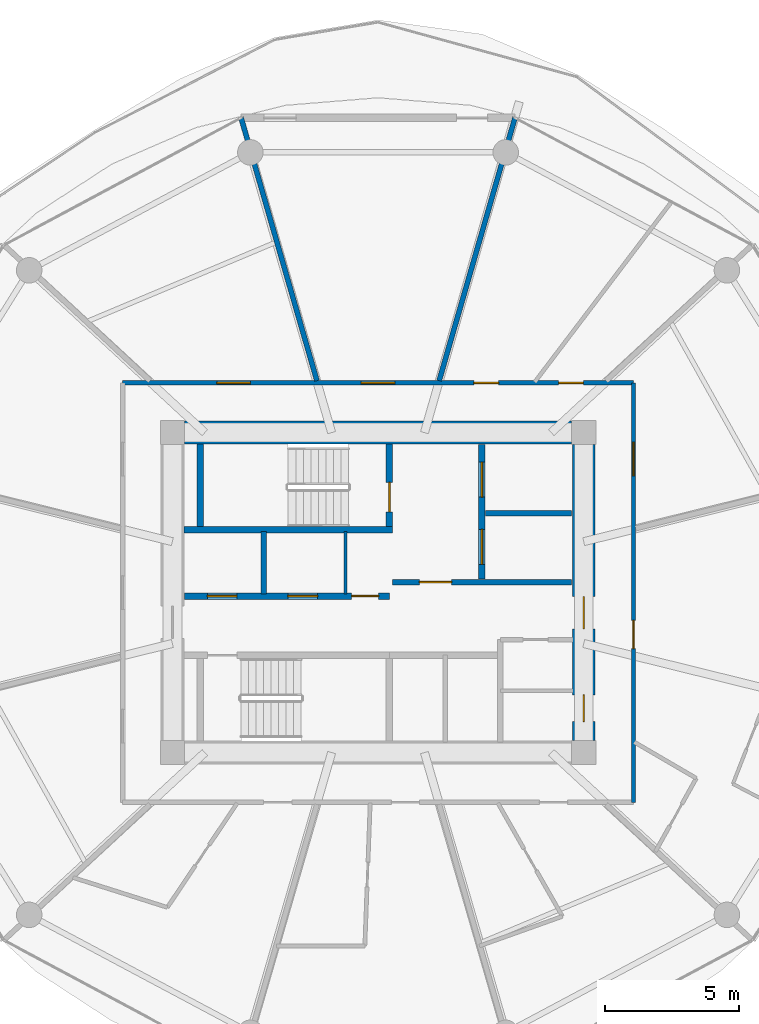
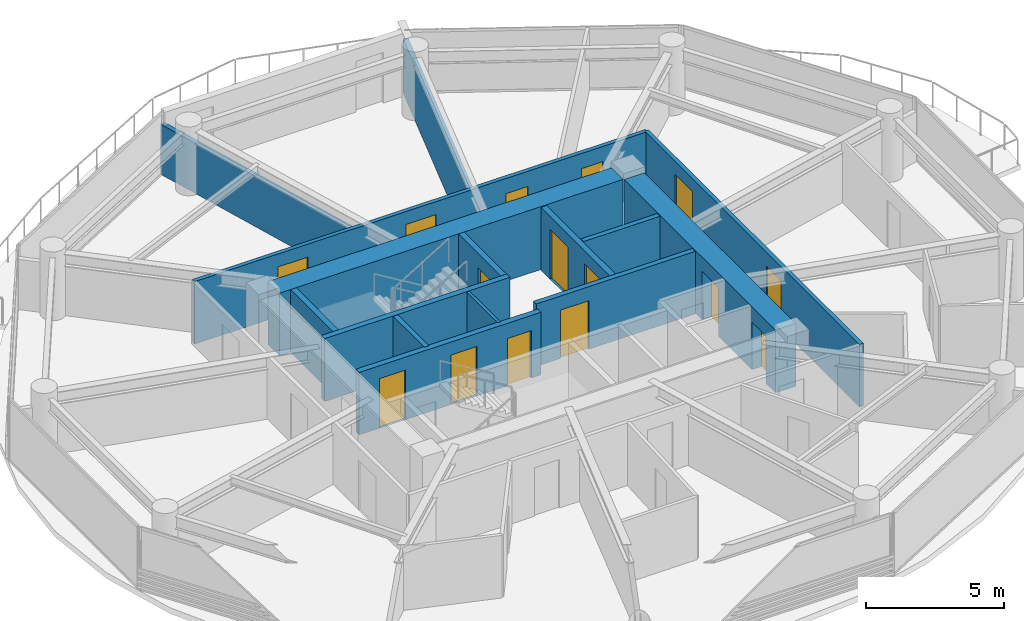
# One storey, part 19 of 26: 15 doors, 15 walls, 15 openings.
"""IFC4 building model written with IfcOpenShell, lengths in metres."""

from ifc_helpers import new_model, si_unit, direction, frame, frame_2d, origin, place, context, subcontext, project, spatial, rectangle, extrude, source, transform, mapped, material, layer, layer_set, type_object, type_shapes, element, fill, save


model = new_model("IFC4")

# Units and contexts
model_context = context("Model", 3, precision=1e-05, world=origin(), true_north=direction((0.0, 1.0)))
body_context = subcontext(model_context, "Body", "Model", "MODEL_VIEW")
ifc_project = project(units=[si_unit("LENGTHUNIT", "METRE"), si_unit("AREAUNIT", "SQUARE_METRE"), si_unit("VOLUMEUNIT", "CUBIC_METRE"), si_unit("PLANEANGLEUNIT", "RADIAN"), si_unit("MASSUNIT", "GRAM", prefix="KILO")], contexts=[model_context])

# Site, building, storey
site_placement = place(None, origin())
site = spatial("IfcSite", under=ifc_project, at=site_placement, CompositionType="ELEMENT")
building_placement = place(site_placement, origin())
building = spatial("IfcBuilding", under=site, at=building_placement, Name="Norrkilde Senior Care Towers", CompositionType="ELEMENT")
storey_placement = place(building_placement, frame((0.0, 0.0, 55.14990234375)))
storey = spatial("IfcBuildingStorey", under=building, at=storey_placement, Name="L16", CompositionType="ELEMENT", Elevation=55.14990234375)

# Wall
ifc_material_1 = material(Name="Concrete C60/75", Category="concrete")
ifc_layer_1 = layer(ifc_material_1, 0.85009765625)
ifc_layer_set_1 = layer_set([ifc_layer_1], Name="Concrete C60/75")
wall_type_1 = type_object("IfcWallType", Name="Core Shear Wall Z1 850", PredefinedType="SHEAR", material=ifc_layer_set_1)
shared_shape_1 = source(origin(), body_context, "Body", "SweptSolid", [
    extrude(rectangle(XDim=14.39990234375, YDim=0.85009765625, at=frame_2d((7.199951171875, 0.0))), origin(), (0.0, 0.0, 1.0), 2.7900390625),
])
wall_1_placement = place(storey_placement, frame((20.800048828125, 5.949951171875, 0.0), z_axis=(0.0, 0.0, 1.0), x_axis=(1.0, 0.0, 0.0)))
element("IfcWall", 1, at=wall_1_placement, inside=storey, type_object=wall_type_1, Name="L16 Core E North Shear Wall", PredefinedType="SHEAR", context=body_context, shape_type="MappedRepresentation", body=[
    mapped(shared_shape_1, transform((0.0, 0.0, 0.0), x_axis=(1.0, 0.0, 0.0), y_axis=(0.0, 1.0, 0.0), z_axis=(0.0, 0.0, 1.0), scale=1.0)),
])

# Wall, openings, doors
shared_shape_2 = source(origin(), body_context, "Body", "SweptSolid", [
    extrude(rectangle(XDim=11.0, YDim=0.85009765625, at=frame_2d((5.5, 0.0))), origin(), (0.0, 0.0, 1.0), 2.7900390625),
])
type_shapes(wall_type_1, [shared_shape_1, shared_shape_2])
wall_2_placement = place(storey_placement, frame((35.64990234375, 5.5, 0.0), z_axis=(0.0, 0.0, 1.0), x_axis=(0.0, -1.0, 0.0)))
wall_2 = element("IfcWall", 2, at=wall_2_placement, inside=storey, type_object=wall_type_1, Name="L16 Core E East Shear Wall", PredefinedType="SHEAR", context=body_context, shape_type="MappedRepresentation", body=[
    mapped(shared_shape_2, transform((0.0, 0.0, 0.0), x_axis=(1.0, 0.0, 0.0), y_axis=(0.0, 1.0, 0.0), z_axis=(0.0, 0.0, 1.0), scale=1.0)),
])
opening_1_placement = place(wall_2_placement, frame((5.64990234375, 0.0, 0.0)))
opening_1 = element("IfcOpeningElement", 3, at=opening_1_placement, cuts=wall_2, Name="Opening D-04", PredefinedType="OPENING", context=body_context, shape_type="SweptSolid", body=[
    extrude(rectangle(XDim=1.199951171875, YDim=2.14990234375, at=frame_2d((0.60009765625, 1.074951171875))), frame((0.0, 0.43505859375, 0.0), z_axis=(0.0, -1.0, 0.0), x_axis=(1.0, 0.0, 0.0)), (0.0, 0.0, 1.0), 0.8701171875),
])
opening_2_placement = place(wall_2_placement, frame((9.300048828125, 0.0, 0.0)))
opening_2 = element("IfcOpeningElement", 4, at=opening_2_placement, cuts=wall_2, Name="Opening D-10", PredefinedType="OPENING", context=body_context, shape_type="SweptSolid", body=[
    extrude(rectangle(XDim=1.0, YDim=2.10009765625, at=frame_2d((0.5, 1.050048828125))), frame((0.0, 0.43505859375, 0.0), z_axis=(0.0, -1.0, 0.0), x_axis=(1.0, 0.0, 0.0)), (0.0, 0.0, 1.0), 0.8701171875),
])
ifc_material_2 = material(Name="Galvanised Painted Steel", Category="steel")
door_type_1 = type_object("IfcDoorType", Name="Firefighting Lobby Fire Door 1200x2150", OperationType="NOTDEFINED", PredefinedType="DOOR", material=ifc_material_2)
shared_shape_3 = source(origin(), body_context, "Body", "SweptSolid", [
    extrude(rectangle(XDim=1.199951171875, YDim=2.14990234375, at=frame_2d((0.60009765625, 1.074951171875))), frame((0.0, 0.02490234375, 0.0), z_axis=(0.0, -1.0, 0.0), x_axis=(1.0, 0.0, 0.0)), (0.0, 0.0, 1.0), 0.050048828125),
])
type_shapes(door_type_1, [shared_shape_3])
door_1_placement = place(opening_1_placement, frame((1.199951171875, 0.0, 0.0), z_axis=(0.0, 0.0, 1.0), x_axis=(-1.0, 0.0, 0.0)))
door_1 = element("IfcDoor", 5, at=door_1_placement, inside=storey, type_object=door_type_1, Name="L16 Core E East Portal Door", OperationType="SINGLE_SWING_RIGHT", OverallHeight=2.14990234375, OverallWidth=1.199951171875, PredefinedType="DOOR", context=body_context, shape_type="MappedRepresentation", body=[
    mapped(shared_shape_3, transform((0.0, 0.0, 0.0), x_axis=(1.0, 0.0, 0.0), y_axis=(0.0, 1.0, 0.0), z_axis=(0.0, 0.0, 1.0), scale=1.0)),
])
fill(opening_1, door_1)
door_type_2 = type_object("IfcDoorType", Name="Plant and Riser Rated Door 1000x2100", OperationType="NOTDEFINED", PredefinedType="DOOR", material=ifc_material_2)
shared_shape_4 = source(origin(), body_context, "Body", "SweptSolid", [
    extrude(rectangle(XDim=1.0, YDim=2.10009765625, at=frame_2d((0.5, 1.050048828125))), frame((0.0, 0.02490234375, 0.0), z_axis=(0.0, -1.0, 0.0), x_axis=(1.0, 0.0, 0.0)), (0.0, 0.0, 1.0), 0.050048828125),
])
type_shapes(door_type_2, [shared_shape_4])
door_2_placement = place(opening_2_placement, frame((1.0, 0.0, 0.0), z_axis=(0.0, 0.0, 1.0), x_axis=(-1.0, 0.0, 0.0)))
door_2 = element("IfcDoor", 6, at=door_2_placement, inside=storey, type_object=door_type_2, Name="L16 Ventilation Riser E Door", OperationType="SINGLE_SWING_RIGHT", OverallHeight=2.10009765625, OverallWidth=1.0, PredefinedType="DOOR", context=body_context, shape_type="MappedRepresentation", body=[
    mapped(shared_shape_4, transform((0.0, 0.0, 0.0), x_axis=(1.0, 0.0, 0.0), y_axis=(0.0, 1.0, 0.0), z_axis=(0.0, 0.0, 1.0), scale=1.0)),
])
fill(opening_2, door_2)

# Walls
ifc_material_3 = material(Name="Concrete C45/55", Category="concrete")
ifc_layer_2 = layer(ifc_material_3, 0.239990234375)
ifc_layer_set_2 = layer_set([ifc_layer_2], Name="Concrete C45/55")
wall_type_2 = type_object("IfcWallType", Name="Shaft and Stair Enclosure Wall 240", PredefinedType="PARTITIONING", material=ifc_layer_set_2)
shared_shape_5 = source(origin(), body_context, "Body", "SweptSolid", [
    extrude(rectangle(XDim=7.76513671875, YDim=0.239990234375, at=frame_2d((3.882568359375, 0.0))), origin(), (0.0, 0.0, 1.0), 2.7900390625),
])
wall_3_placement = place(storey_placement, frame((20.77490234375, 2.330078125, 0.0), z_axis=(0.0, 0.0, 1.0), x_axis=(1.0, 0.0, 0.0)))
element("IfcWall", 7, at=wall_3_placement, inside=storey, type_object=wall_type_2, Name="WL-INT-L16-E-ST1S", PredefinedType="PARTITIONING", context=body_context, shape_type="MappedRepresentation", body=[
    mapped(shared_shape_5, transform((0.0, 0.0, 0.0), x_axis=(1.0, 0.0, 0.0), y_axis=(0.0, 1.0, 0.0), z_axis=(0.0, 0.0, 1.0), scale=1.0)),
])
shared_shape_6 = source(origin(), body_context, "Body", "SweptSolid", [
    extrude(rectangle(XDim=3.074951171875, YDim=0.239990234375, at=frame_2d((1.53759765625, 0.0))), origin(), (0.0, 0.0, 1.0), 2.7900390625),
])
type_shapes(wall_type_2, [shared_shape_5, shared_shape_6])
wall_4_placement = place(storey_placement, frame((21.3798828125, 2.449951171875, 0.0), z_axis=(0.0, 0.0, 1.0), x_axis=(0.0, 1.0, 0.0)))
element("IfcWall", 8, at=wall_4_placement, inside=storey, type_object=wall_type_2, Name="WL-INT-L16-E-ST1W", PredefinedType="PARTITIONING", context=body_context, shape_type="MappedRepresentation", body=[
    mapped(shared_shape_6, transform((0.0, 0.0, 0.0), x_axis=(1.0, 0.0, 0.0), y_axis=(0.0, 1.0, 0.0), z_axis=(0.0, 0.0, 1.0), scale=1.0)),
])

# Wall, opening, door
wall_5_placement = place(storey_placement, frame((28.419921875, 2.449951171875, 0.0), z_axis=(0.0, 0.0, 1.0), x_axis=(0.0, 1.0, 0.0)))
wall_5 = element("IfcWall", 9, at=wall_5_placement, inside=storey, type_object=wall_type_2, Name="WL-INT-L16-E-ST1E", PredefinedType="PARTITIONING", context=body_context, shape_type="MappedRepresentation", body=[
    mapped(shared_shape_6, transform((0.0, 0.0, 0.0), x_axis=(1.0, 0.0, 0.0), y_axis=(0.0, 1.0, 0.0), z_axis=(0.0, 0.0, 1.0), scale=1.0)),
])
opening_3_placement = place(wall_5_placement, frame((0.550048828125, 0.0, 0.0)))
opening_3 = element("IfcOpeningElement", 10, at=opening_3_placement, cuts=wall_5, Name="Opening D-03", PredefinedType="OPENING", context=body_context, shape_type="SweptSolid", body=[
    extrude(rectangle(XDim=1.10009765625, YDim=2.14990234375, at=frame_2d((0.550048828125, 1.074951171875))), frame((0.0, 0.1298828125, 0.0), z_axis=(0.0, -1.0, 0.0), x_axis=(1.0, 0.0, 0.0)), (0.0, 0.0, 1.0), 0.260009765625),
])
door_type_3 = type_object("IfcDoorType", Name="Stairwell Protected Fire Door 1100x2150", OperationType="NOTDEFINED", PredefinedType="DOOR", material=ifc_material_2)
shared_shape_7 = source(origin(), body_context, "Body", "SweptSolid", [
    extrude(rectangle(XDim=1.10009765625, YDim=2.14990234375, at=frame_2d((0.550048828125, 1.074951171875))), frame((0.0, 0.02490234375, 0.0), z_axis=(0.0, -1.0, 0.0), x_axis=(1.0, 0.0, 0.0)), (0.0, 0.0, 1.0), 0.050048828125),
])
type_shapes(door_type_3, [shared_shape_7])
door_3_placement = place(opening_3_placement, origin())
door_3 = element("IfcDoor", 11, at=door_3_placement, inside=storey, type_object=door_type_3, Name="L16 Stair E1 Fire Door", OperationType="SINGLE_SWING_LEFT", OverallHeight=2.14990234375, OverallWidth=1.10009765625, PredefinedType="DOOR", context=body_context, shape_type="MappedRepresentation", body=[
    mapped(shared_shape_7, transform((0.0, 0.0, 0.0), x_axis=(1.0, 0.0, 0.0), y_axis=(0.0, 1.0, 0.0), z_axis=(0.0, 0.0, 1.0), scale=1.0)),
])
fill(opening_3, door_3)

# Wall, openings, doors
ifc_layer_3 = layer(ifc_material_3, 0.239990234375)
ifc_layer_set_3 = layer_set([ifc_layer_3], Name="Concrete C45/55")
wall_type_3 = type_object("IfcWallType", Name="Lift and Plant Rated Enclosure Partition 240", PredefinedType="PARTITIONING", material=ifc_layer_set_3)
shared_shape_8 = source(origin(), body_context, "Body", "SweptSolid", [
    extrude(rectangle(XDim=5.0, YDim=0.239990234375, at=frame_2d((2.5, 0.0))), origin(), (0.0, 0.0, 1.0), 2.775146484375),
])
wall_6_placement = place(storey_placement, frame((31.860107421875, 0.5, 0.0), z_axis=(0.0, 0.0, 1.0), x_axis=(0.0, 1.0, 0.0)))
wall_6 = element("IfcWall", 12, at=wall_6_placement, inside=storey, type_object=wall_type_3, Name="WL-INT-L16-E-FFLE", PredefinedType="PARTITIONING", context=body_context, shape_type="MappedRepresentation", body=[
    mapped(shared_shape_8, transform((0.0, 0.0, 0.0), x_axis=(1.0, 0.0, 0.0), y_axis=(0.0, 1.0, 0.0), z_axis=(0.0, 0.0, 1.0), scale=1.0)),
])
opening_4_placement = place(wall_6_placement, frame((3.050048828125, 0.0, 0.0)))
opening_4 = element("IfcOpeningElement", 13, at=opening_4_placement, cuts=wall_6, Name="Opening LD-02", PredefinedType="OPENING", context=body_context, shape_type="SweptSolid", body=[
    extrude(rectangle(XDim=1.300048828125, YDim=2.199951171875, at=frame_2d((0.64990234375, 1.10009765625))), frame((0.0, 0.1298828125, 0.0), z_axis=(0.0, -1.0, 0.0), x_axis=(1.0, 0.0, 0.0)), (0.0, 0.0, 1.0), 0.260009765625),
])
opening_5_placement = place(wall_6_placement, frame((0.550048828125, 0.0, 0.0)))
opening_5 = element("IfcOpeningElement", 14, at=opening_5_placement, cuts=wall_6, Name="Opening LD-02", PredefinedType="OPENING", context=body_context, shape_type="SweptSolid", body=[
    extrude(rectangle(XDim=1.300048828125, YDim=2.199951171875, at=frame_2d((0.64990234375, 1.10009765625))), frame((0.0, 0.1298828125, 0.0), z_axis=(0.0, -1.0, 0.0), x_axis=(1.0, 0.0, 0.0)), (0.0, 0.0, 1.0), 0.260009765625),
])
ifc_material_4 = material(Name="Stainless Steel", Category="steel")
door_type_4 = type_object("IfcDoorType", Name="Stretcher and FFL Landing Sliding Door 1300x2200", OperationType="NOTDEFINED", PredefinedType="DOOR", material=ifc_material_4)
shared_shape_9 = source(origin(), body_context, "Body", "SweptSolid", [
    extrude(rectangle(XDim=1.300048828125, YDim=2.199951171875, at=frame_2d((0.64990234375, 1.10009765625))), frame((0.0, 0.02490234375, 0.0), z_axis=(0.0, -1.0, 0.0), x_axis=(1.0, 0.0, 0.0)), (0.0, 0.0, 1.0), 0.050048828125),
])
type_shapes(door_type_4, [shared_shape_9])
door_4_placement = place(opening_4_placement, origin())
door_4 = element("IfcDoor", 15, at=door_4_placement, inside=storey, type_object=door_type_4, Name="L16 Firefighting Lift E1 Landing Door", OperationType="SLIDING_TO_LEFT", OverallHeight=2.199951171875, OverallWidth=1.300048828125, PredefinedType="DOOR", context=body_context, shape_type="MappedRepresentation", body=[
    mapped(shared_shape_9, transform((0.0, 0.0, 0.0), x_axis=(1.0, 0.0, 0.0), y_axis=(0.0, 1.0, 0.0), z_axis=(0.0, 0.0, 1.0), scale=1.0)),
])
fill(opening_4, door_4)
door_5_placement = place(opening_5_placement, origin())
door_5 = element("IfcDoor", 16, at=door_5_placement, inside=storey, type_object=door_type_4, Name="L16 Stretcher Lift E1 Landing Door", OperationType="SLIDING_TO_RIGHT", OverallHeight=2.199951171875, OverallWidth=1.300048828125, PredefinedType="DOOR", context=body_context, shape_type="MappedRepresentation", body=[
    mapped(shared_shape_9, transform((0.0, 0.0, 0.0), x_axis=(1.0, 0.0, 0.0), y_axis=(0.0, 1.0, 0.0), z_axis=(0.0, 0.0, 1.0), scale=1.0)),
])
fill(opening_5, door_5)

# Wall
ifc_layer_4 = layer(ifc_material_3, 0.199951171875)
ifc_layer_set_4 = layer_set([ifc_layer_4], Name="Concrete C45/55")
wall_type_4 = type_object("IfcWallType", Name="Shaft Division and Plant Partition 200", PredefinedType="PARTITIONING", material=ifc_layer_set_4)
shared_shape_10 = source(origin(), body_context, "Body", "SweptSolid", [
    extrude(rectangle(XDim=3.199951171875, YDim=0.199951171875, at=frame_2d((1.60009765625, 0.0))), origin(), (0.0, 0.0, 1.0), 2.775146484375),
])
wall_7_placement = place(storey_placement, frame((32.0, 2.949951171875, 0.0), z_axis=(0.0, 0.0, 1.0), x_axis=(1.0, 0.0, 0.0)))
element("IfcWall", 17, at=wall_7_placement, inside=storey, type_object=wall_type_4, Name="WL-INT-L16-E-FFLDIV", PredefinedType="PARTITIONING", context=body_context, shape_type="MappedRepresentation", body=[
    mapped(shared_shape_10, transform((0.0, 0.0, 0.0), x_axis=(1.0, 0.0, 0.0), y_axis=(0.0, 1.0, 0.0), z_axis=(0.0, 0.0, 1.0), scale=1.0)),
])

# Wall, opening, door
ifc_layer_5 = layer(ifc_material_3, 0.2099609375)
ifc_layer_set_5 = layer_set([ifc_layer_5], Name="Concrete C45/55")
wall_type_5 = type_object("IfcWallType", Name="Firefighting Lobby Wall 210", PredefinedType="PARTITIONING", material=ifc_layer_set_5)
shared_shape_11 = source(origin(), body_context, "Body", "SweptSolid", [
    extrude(rectangle(XDim=6.659912109375, YDim=0.2099609375, at=frame_2d((3.330078125, 0.0))), origin(), (0.0, 0.0, 1.0), 2.775146484375),
])
type_shapes(wall_type_5, [shared_shape_11])
wall_8_placement = place(storey_placement, frame((28.5400390625, 0.389892578125, 0.0), z_axis=(0.0, 0.0, 1.0), x_axis=(1.0, 0.0, 0.0)))
wall_8 = element("IfcWall", 18, at=wall_8_placement, inside=storey, type_object=wall_type_5, Name="WL-INT-L16-E-FFLS", PredefinedType="PARTITIONING", context=body_context, shape_type="MappedRepresentation", body=[
    mapped(shared_shape_11, transform((0.0, 0.0, 0.0), x_axis=(1.0, 0.0, 0.0), y_axis=(0.0, 1.0, 0.0), z_axis=(0.0, 0.0, 1.0), scale=1.0)),
])
opening_6_placement = place(wall_8_placement, frame((1.0, 0.0, 0.0)))
opening_6 = element("IfcOpeningElement", 19, at=opening_6_placement, cuts=wall_8, Name="Opening D-04", PredefinedType="OPENING", context=body_context, shape_type="SweptSolid", body=[
    extrude(rectangle(XDim=1.199951171875, YDim=2.14990234375, at=frame_2d((0.60009765625, 1.074951171875))), frame((0.0, 0.114990234375, 0.0), z_axis=(0.0, -1.0, 0.0), x_axis=(1.0, 0.0, 0.0)), (0.0, 0.0, 1.0), 0.22998046875),
])
door_6_placement = place(opening_6_placement, frame((1.199951171875, 0.0, 0.0), z_axis=(0.0, 0.0, 1.0), x_axis=(-1.0, 0.0, 0.0)))
door_6 = element("IfcDoor", 20, at=door_6_placement, inside=storey, type_object=door_type_1, Name="L16 Firefighting Lobby E Door", OperationType="SINGLE_SWING_LEFT", OverallHeight=2.14990234375, OverallWidth=1.199951171875, PredefinedType="DOOR", context=body_context, shape_type="MappedRepresentation", body=[
    mapped(shared_shape_3, transform((0.0, 0.0, 0.0), x_axis=(1.0, 0.0, 0.0), y_axis=(0.0, 1.0, 0.0), z_axis=(0.0, 0.0, 1.0), scale=1.0)),
])
fill(opening_6, door_6)

# Wall, openings, doors
shared_shape_12 = source(origin(), body_context, "Body", "SweptSolid", [
    extrude(rectangle(XDim=7.619873046875, YDim=0.239990234375, at=frame_2d((3.81005859375, 0.0))), origin(), (0.0, 0.0, 1.0), 2.775146484375),
])
type_shapes(wall_type_3, [shared_shape_8, shared_shape_12])
wall_9_placement = place(storey_placement, frame((20.800048828125, -0.1298828125, 0.0), z_axis=(0.0, 0.0, 1.0), x_axis=(1.0, 0.0, 0.0)))
wall_9 = element("IfcWall", 21, at=wall_9_placement, inside=storey, type_object=wall_type_3, Name="WL-INT-L16-E-PKAS", PredefinedType="PARTITIONING", context=body_context, shape_type="MappedRepresentation", body=[
    mapped(shared_shape_12, transform((0.0, 0.0, 0.0), x_axis=(1.0, 0.0, 0.0), y_axis=(0.0, 1.0, 0.0), z_axis=(0.0, 0.0, 1.0), scale=1.0)),
])
opening_7_placement = place(wall_9_placement, frame((6.219970703125, 0.0, 0.0)))
opening_7 = element("IfcOpeningElement", 22, at=opening_7_placement, cuts=wall_9, Name="Opening D-10", PredefinedType="OPENING", context=body_context, shape_type="SweptSolid", body=[
    extrude(rectangle(XDim=1.0, YDim=2.10009765625, at=frame_2d((0.5, 1.050048828125))), frame((0.0, 0.1298828125, 0.0), z_axis=(0.0, -1.0, 0.0), x_axis=(1.0, 0.0, 0.0)), (0.0, 0.0, 1.0), 0.260009765625),
])
opening_8_placement = place(wall_9_placement, frame((0.85009765625, 0.0, 0.0)))
opening_8 = element("IfcOpeningElement", 23, at=opening_8_placement, cuts=wall_9, Name="Opening LD-01", PredefinedType="OPENING", context=body_context, shape_type="SweptSolid", body=[
    extrude(rectangle(XDim=1.10009765625, YDim=2.199951171875, at=frame_2d((0.550048828125, 1.10009765625))), frame((0.0, 0.1298828125, 0.0), z_axis=(0.0, -1.0, 0.0), x_axis=(1.0, 0.0, 0.0)), (0.0, 0.0, 1.0), 0.260009765625),
])
opening_9_placement = place(wall_9_placement, frame((3.85009765625, 0.0, 0.0)))
opening_9 = element("IfcOpeningElement", 24, at=opening_9_placement, cuts=wall_9, Name="Opening LD-01", PredefinedType="OPENING", context=body_context, shape_type="SweptSolid", body=[
    extrude(rectangle(XDim=1.10009765625, YDim=2.199951171875, at=frame_2d((0.550048828125, 1.10009765625))), frame((0.0, 0.1298828125, 0.0), z_axis=(0.0, -1.0, 0.0), x_axis=(1.0, 0.0, 0.0)), (0.0, 0.0, 1.0), 0.260009765625),
])
door_7_placement = place(opening_7_placement, frame((1.0, 0.0, 0.0), z_axis=(0.0, 0.0, 1.0), x_axis=(-1.0, 0.0, 0.0)))
door_7 = element("IfcDoor", 25, at=door_7_placement, inside=storey, type_object=door_type_2, Name="L16 Electrical Riser E Door", OperationType="SINGLE_SWING_LEFT", OverallHeight=2.10009765625, OverallWidth=1.0, PredefinedType="DOOR", context=body_context, shape_type="MappedRepresentation", body=[
    mapped(shared_shape_4, transform((0.0, 0.0, 0.0), x_axis=(1.0, 0.0, 0.0), y_axis=(0.0, 1.0, 0.0), z_axis=(0.0, 0.0, 1.0), scale=1.0)),
])
fill(opening_7, door_7)
door_type_5 = type_object("IfcDoorType", Name="Lift Landing Sliding Door 1100x2200", OperationType="NOTDEFINED", PredefinedType="DOOR", material=ifc_material_4)
shared_shape_13 = source(origin(), body_context, "Body", "SweptSolid", [
    extrude(rectangle(XDim=1.10009765625, YDim=2.199951171875, at=frame_2d((0.550048828125, 1.10009765625))), frame((0.0, 0.02490234375, 0.0), z_axis=(0.0, -1.0, 0.0), x_axis=(1.0, 0.0, 0.0)), (0.0, 0.0, 1.0), 0.050048828125),
])
type_shapes(door_type_5, [shared_shape_13])
door_8_placement = place(opening_8_placement, origin())
door_8 = element("IfcDoor", 26, at=door_8_placement, inside=storey, type_object=door_type_5, Name="L16 Passenger Lift E1 Landing Door", OperationType="SLIDING_TO_LEFT", OverallHeight=2.199951171875, OverallWidth=1.10009765625, PredefinedType="DOOR", context=body_context, shape_type="MappedRepresentation", body=[
    mapped(shared_shape_13, transform((0.0, 0.0, 0.0), x_axis=(1.0, 0.0, 0.0), y_axis=(0.0, 1.0, 0.0), z_axis=(0.0, 0.0, 1.0), scale=1.0)),
])
fill(opening_8, door_8)
door_9_placement = place(opening_9_placement, origin())
door_9 = element("IfcDoor", 27, at=door_9_placement, inside=storey, type_object=door_type_5, Name="L16 Passenger Lift E2 Landing Door", OperationType="SLIDING_TO_RIGHT", OverallHeight=2.199951171875, OverallWidth=1.10009765625, PredefinedType="DOOR", context=body_context, shape_type="MappedRepresentation", body=[
    mapped(shared_shape_13, transform((0.0, 0.0, 0.0), x_axis=(1.0, 0.0, 0.0), y_axis=(0.0, 1.0, 0.0), z_axis=(0.0, 0.0, 1.0), scale=1.0)),
])
fill(opening_9, door_9)

# Walls
ifc_material_5 = material(Name="Gypsum Acoustic Board")
ifc_layer_6 = layer(ifc_material_5, 0.114990234375)
ifc_layer_set_6 = layer_set([ifc_layer_6], Name="Gypsum Acoustic Board")
wall_type_6 = type_object("IfcWallType", Name="Internal Room Partition 115", PredefinedType="PARTITIONING", material=ifc_layer_set_6)
shared_shape_14 = source(origin(), body_context, "Body", "SweptSolid", [
    extrude(rectangle(XDim=2.330078125, YDim=0.114990234375, at=frame_2d((1.1650390625, 0.0))), origin(), (0.0, 0.0, 1.0), 2.775146484375),
])
type_shapes(wall_type_6, [shared_shape_14])
wall_10_placement = place(storey_placement, frame((26.7900390625, -0.050048828125, 0.0), z_axis=(0.0, 0.0, 1.0), x_axis=(0.0, 1.0, 0.0)))
element("IfcWall", 28, at=wall_10_placement, inside=storey, type_object=wall_type_6, Name="WL-INT-L16-E-RISW", PredefinedType="PARTITIONING", context=body_context, shape_type="MappedRepresentation", body=[
    mapped(shared_shape_14, transform((0.0, 0.0, 0.0), x_axis=(1.0, 0.0, 0.0), y_axis=(0.0, 1.0, 0.0), z_axis=(0.0, 0.0, 1.0), scale=1.0)),
])
shared_shape_15 = source(origin(), body_context, "Body", "SweptSolid", [
    extrude(rectangle(XDim=2.330078125, YDim=0.199951171875, at=frame_2d((1.1650390625, 0.0))), origin(), (0.0, 0.0, 1.0), 2.775146484375),
])
type_shapes(wall_type_4, [shared_shape_10, shared_shape_15])
wall_11_placement = place(storey_placement, frame((23.75, -0.050048828125, 0.0), z_axis=(0.0, 0.0, 1.0), x_axis=(0.0, 1.0, 0.0)))
element("IfcWall", 29, at=wall_11_placement, inside=storey, type_object=wall_type_4, Name="WL-INT-L16-E-PL12", PredefinedType="PARTITIONING", context=body_context, shape_type="MappedRepresentation", body=[
    mapped(shared_shape_15, transform((0.0, 0.0, 0.0), x_axis=(1.0, 0.0, 0.0), y_axis=(0.0, 1.0, 0.0), z_axis=(0.0, 0.0, 1.0), scale=1.0)),
])

# Wall, openings, doors
ifc_layer_7 = layer(ifc_material_5, 0.1650390625)
ifc_layer_set_7 = layer_set([ifc_layer_7], Name="Gypsum Acoustic Board")
wall_type_7 = type_object("IfcWallType", Name="Corridor Rated Partition 165", PredefinedType="PARTITIONING", material=ifc_layer_set_7)
shared_shape_16 = source(origin(), body_context, "Body", "SweptSolid", [
    extrude(rectangle(XDim=19.0, YDim=0.1650390625, at=frame_2d((9.5, 0.0))), origin(), (0.0, 0.0, 1.0), 2.775146484375),
])
wall_12_placement = place(storey_placement, frame((18.5, 7.800048828125, 0.0), z_axis=(0.0, 0.0, 1.0), x_axis=(1.0, 0.0, 0.0)))
wall_12 = element("IfcWall", 30, at=wall_12_placement, inside=storey, type_object=wall_type_7, Name="WL-INT-L16-E-CRW-N-0", PredefinedType="PARTITIONING", context=body_context, shape_type="MappedRepresentation", body=[
    mapped(shared_shape_16, transform((0.0, 0.0, 0.0), x_axis=(1.0, 0.0, 0.0), y_axis=(0.0, 1.0, 0.0), z_axis=(0.0, 0.0, 1.0), scale=1.0)),
])
opening_10_placement = place(wall_12_placement, frame((16.213623046875, 0.0, 0.0)))
opening_10 = element("IfcOpeningElement", 31, at=opening_10_placement, cuts=wall_12, Name="Opening D-08", PredefinedType="OPENING", context=body_context, shape_type="SweptSolid", body=[
    extrude(rectangle(XDim=0.919921875, YDim=2.10009765625, at=frame_2d((0.4599609375, 1.050048828125))), frame((0.0, 0.092529296875, 0.0), z_axis=(0.0, -1.0, 0.0), x_axis=(1.0, 0.0, 0.0)), (0.0, 0.0, 1.0), 0.18505859375),
])
opening_11_placement = place(wall_12_placement, frame((13.062744140625, 0.0, 0.0)))
opening_11 = element("IfcOpeningElement", 32, at=opening_11_placement, cuts=wall_12, Name="Opening D-08", PredefinedType="OPENING", context=body_context, shape_type="SweptSolid", body=[
    extrude(rectangle(XDim=0.919921875, YDim=2.10009765625, at=frame_2d((0.4599609375, 1.050048828125))), frame((0.0, 0.092529296875, 0.0), z_axis=(0.0, -1.0, 0.0), x_axis=(1.0, 0.0, 0.0)), (0.0, 0.0, 1.0), 0.18505859375),
])
opening_12_placement = place(wall_12_placement, frame((8.875, 0.0, 0.0)))
opening_12 = element("IfcOpeningElement", 33, at=opening_12_placement, cuts=wall_12, Name="Opening D-05", PredefinedType="OPENING", context=body_context, shape_type="SweptSolid", body=[
    extrude(rectangle(XDim=1.25, YDim=2.199951171875, at=frame_2d((0.625, 1.10009765625))), frame((0.0, 0.092529296875, 0.0), z_axis=(0.0, -1.0, 0.0), x_axis=(1.0, 0.0, 0.0)), (0.0, 0.0, 1.0), 0.18505859375),
])
opening_13_placement = place(wall_12_placement, frame((3.505615234375, 0.0, 0.0)))
opening_13 = element("IfcOpeningElement", 34, at=opening_13_placement, cuts=wall_12, Name="Opening D-05", PredefinedType="OPENING", context=body_context, shape_type="SweptSolid", body=[
    extrude(rectangle(XDim=1.25, YDim=2.199951171875, at=frame_2d((0.625, 1.10009765625))), frame((0.0, 0.092529296875, 0.0), z_axis=(0.0, -1.0, 0.0), x_axis=(1.0, 0.0, 0.0)), (0.0, 0.0, 1.0), 0.18505859375),
])
ifc_material_6 = material(Name="Nordic Ash Timber", Category="wood")
door_type_6 = type_object("IfcDoorType", Name="Care Bedroom Bariatric Door 1250x2200", OperationType="NOTDEFINED", PredefinedType="DOOR", material=ifc_material_6)
shared_shape_17 = source(origin(), body_context, "Body", "SweptSolid", [
    extrude(rectangle(XDim=1.25, YDim=2.199951171875, at=frame_2d((0.625, 1.10009765625))), frame((0.0, 0.02490234375, 0.0), z_axis=(0.0, -1.0, 0.0), x_axis=(1.0, 0.0, 0.0)), (0.0, 0.0, 1.0), 0.050048828125),
])
type_shapes(door_type_6, [shared_shape_17])
door_10_placement = place(opening_12_placement, frame((1.25, 0.0, 0.0), z_axis=(0.0, 0.0, 1.0), x_axis=(-1.0, 0.0, 0.0)))
door_10 = element("IfcDoor", 35, at=door_10_placement, inside=storey, type_object=door_type_6, Name="L16 Care Coordination Charting Office Door", OperationType="SINGLE_SWING_LEFT", OverallHeight=2.199951171875, OverallWidth=1.25, PredefinedType="DOOR", context=body_context, shape_type="MappedRepresentation", body=[
    mapped(shared_shape_17, transform((0.0, 0.0, 0.0), x_axis=(1.0, 0.0, 0.0), y_axis=(0.0, 1.0, 0.0), z_axis=(0.0, 0.0, 1.0), scale=1.0)),
])
fill(opening_12, door_10)
door_11_placement = place(opening_13_placement, frame((1.25, 0.0, 0.0), z_axis=(0.0, 0.0, 1.0), x_axis=(-1.0, 0.0, 0.0)))
door_11 = element("IfcDoor", 36, at=door_11_placement, inside=storey, type_object=door_type_6, Name="L16 Resident Family Conference Room Door", OperationType="SINGLE_SWING_RIGHT", OverallHeight=2.199951171875, OverallWidth=1.25, PredefinedType="DOOR", context=body_context, shape_type="MappedRepresentation", body=[
    mapped(shared_shape_17, transform((0.0, 0.0, 0.0), x_axis=(1.0, 0.0, 0.0), y_axis=(0.0, 1.0, 0.0), z_axis=(0.0, 0.0, 1.0), scale=1.0)),
])
fill(opening_13, door_11)
door_type_7 = type_object("IfcDoorType", Name="Accessible Wet Room Door 920x2100", OperationType="NOTDEFINED", PredefinedType="DOOR", material=ifc_material_6)
shared_shape_18 = source(origin(), body_context, "Body", "SweptSolid", [
    extrude(rectangle(XDim=0.919921875, YDim=2.10009765625, at=frame_2d((0.4599609375, 1.050048828125))), frame((0.0, 0.02490234375, 0.0), z_axis=(0.0, -1.0, 0.0), x_axis=(1.0, 0.0, 0.0)), (0.0, 0.0, 1.0), 0.050048828125),
])
type_shapes(door_type_7, [shared_shape_18])
door_12_placement = place(opening_10_placement, frame((0.919921875, 0.0, 0.0), z_axis=(0.0, 0.0, 1.0), x_axis=(-1.0, 0.0, 0.0)))
door_12 = element("IfcDoor", 37, at=door_12_placement, inside=storey, type_object=door_type_7, Name="L16 Accessible Restroom Door", OperationType="SINGLE_SWING_RIGHT", OverallHeight=2.10009765625, OverallWidth=0.919921875, PredefinedType="DOOR", context=body_context, shape_type="MappedRepresentation", body=[
    mapped(shared_shape_18, transform((0.0, 0.0, 0.0), x_axis=(1.0, 0.0, 0.0), y_axis=(0.0, 1.0, 0.0), z_axis=(0.0, 0.0, 1.0), scale=1.0)),
])
fill(opening_10, door_12)
door_13_placement = place(opening_11_placement, frame((0.919921875, 0.0, 0.0), z_axis=(0.0, 0.0, 1.0), x_axis=(-1.0, 0.0, 0.0)))
door_13 = element("IfcDoor", 38, at=door_13_placement, inside=storey, type_object=door_type_7, Name="L16 Public Restroom Door", OperationType="SINGLE_SWING_LEFT", OverallHeight=2.10009765625, OverallWidth=0.919921875, PredefinedType="DOOR", context=body_context, shape_type="MappedRepresentation", body=[
    mapped(shared_shape_18, transform((0.0, 0.0, 0.0), x_axis=(1.0, 0.0, 0.0), y_axis=(0.0, 1.0, 0.0), z_axis=(0.0, 0.0, 1.0), scale=1.0)),
])
fill(opening_11, door_13)

shared_shape_19 = source(origin(), body_context, "Body", "SweptSolid", [
    extrude(rectangle(XDim=15.60009765625, YDim=0.1650390625, at=frame_2d((7.800048828125, 0.0))), origin(), (0.0, 0.0, 1.0), 2.775146484375),
])
type_shapes(wall_type_7, [shared_shape_16, shared_shape_19])
wall_13_placement = place(storey_placement, frame((37.5, 7.800048828125, 0.0), z_axis=(0.0, 0.0, 1.0), x_axis=(0.0, -1.0, 0.0)))
wall_13 = element("IfcWall", 39, at=wall_13_placement, inside=storey, type_object=wall_type_7, Name="WL-INT-L16-E-CRW-E-0", PredefinedType="PARTITIONING", context=body_context, shape_type="MappedRepresentation", body=[
    mapped(shared_shape_19, transform((0.0, 0.0, 0.0), x_axis=(1.0, 0.0, 0.0), y_axis=(0.0, 1.0, 0.0), z_axis=(0.0, 0.0, 1.0), scale=1.0)),
])
opening_14_placement = place(wall_13_placement, frame((8.834716796875, 0.0, 0.0)))
opening_14 = element("IfcOpeningElement", 40, at=opening_14_placement, cuts=wall_13, Name="Opening D-06", PredefinedType="OPENING", context=body_context, shape_type="SweptSolid", body=[
    extrude(rectangle(XDim=1.050048828125, YDim=2.14990234375, at=frame_2d((0.52490234375, 1.074951171875))), frame((0.0, 0.092529296875, 0.0), z_axis=(0.0, -1.0, 0.0), x_axis=(1.0, 0.0, 0.0)), (0.0, 0.0, 1.0), 0.18505859375),
])
opening_15_placement = place(wall_13_placement, frame((2.20849609375, 0.0, 0.0)))
opening_15 = element("IfcOpeningElement", 41, at=opening_15_placement, cuts=wall_13, Name="Opening D-05", PredefinedType="OPENING", context=body_context, shape_type="SweptSolid", body=[
    extrude(rectangle(XDim=1.25, YDim=2.199951171875, at=frame_2d((0.625, 1.10009765625))), frame((0.0, 0.092529296875, 0.0), z_axis=(0.0, -1.0, 0.0), x_axis=(1.0, 0.0, 0.0)), (0.0, 0.0, 1.0), 0.18505859375),
])
door_14_placement = place(opening_15_placement, frame((1.25, 0.0, 0.0), z_axis=(0.0, 0.0, 1.0), x_axis=(-1.0, 0.0, 0.0)))
door_14 = element("IfcDoor", 42, at=door_14_placement, inside=storey, type_object=door_type_6, Name="L16 Senior Wellness Library Lounge Door", OperationType="SINGLE_SWING_LEFT", OverallHeight=2.199951171875, OverallWidth=1.25, PredefinedType="DOOR", context=body_context, shape_type="MappedRepresentation", body=[
    mapped(shared_shape_17, transform((0.0, 0.0, 0.0), x_axis=(1.0, 0.0, 0.0), y_axis=(0.0, 1.0, 0.0), z_axis=(0.0, 0.0, 1.0), scale=1.0)),
])
fill(opening_15, door_14)
door_type_8 = type_object("IfcDoorType", Name="Apartment Entrance Fire Door 1050x2150", OperationType="NOTDEFINED", PredefinedType="DOOR", material=ifc_material_6)
shared_shape_20 = source(origin(), body_context, "Body", "SweptSolid", [
    extrude(rectangle(XDim=1.050048828125, YDim=2.14990234375, at=frame_2d((0.52490234375, 1.074951171875))), frame((0.0, 0.02490234375, 0.0), z_axis=(0.0, -1.0, 0.0), x_axis=(1.0, 0.0, 0.0)), (0.0, 0.0, 1.0), 0.050048828125),
])
type_shapes(door_type_8, [shared_shape_20])
door_15_placement = place(opening_14_placement, frame((1.050048828125, 0.0, 0.0), z_axis=(0.0, 0.0, 1.0), x_axis=(-1.0, 0.0, 0.0)))
door_15 = element("IfcDoor", 43, at=door_15_placement, inside=storey, type_object=door_type_8, Name="Apartment 16G Entrance Door", OperationType="SINGLE_SWING_LEFT", OverallHeight=2.14990234375, OverallWidth=1.050048828125, PredefinedType="DOOR", context=body_context, shape_type="MappedRepresentation", body=[
    mapped(shared_shape_20, transform((0.0, 0.0, 0.0), x_axis=(1.0, 0.0, 0.0), y_axis=(0.0, 1.0, 0.0), z_axis=(0.0, 0.0, 1.0), scale=1.0)),
])
fill(opening_14, door_15)

# Walls
ifc_layer_8 = layer(ifc_material_5, 0.18994140625)
ifc_layer_set_8 = layer_set([ifc_layer_8], Name="Gypsum Acoustic Board")
wall_type_8 = type_object("IfcWallType", Name="Unit Demising Acoustic Wall 190", PredefinedType="PARTITIONING", material=ifc_layer_set_8)
shared_shape_21 = source(origin(), body_context, "Body", "SweptSolid", [
    extrude(rectangle(XDim=10.196044921875, YDim=0.18994140625, at=frame_2d((5.09814453125, 0.0))), origin(), (0.0, 0.0, 1.0), 2.22509765625),
])
wall_14_placement = place(storey_placement, frame((25.72705078125, 7.8798828125, 0.0), z_axis=(0.0, 0.0, 1.0), x_axis=(-0.277136420347, 0.960830580549, 0.0)))
element("IfcWall", 44, at=wall_14_placement, inside=storey, type_object=wall_type_8, Name="WL-INT-L16-E-DEM-03-0", PredefinedType="PARTITIONING", context=body_context, shape_type="MappedRepresentation", body=[
    mapped(shared_shape_21, transform((0.0, 0.0, 0.0), x_axis=(1.0, 0.0, 0.0), y_axis=(0.0, 1.0, 0.0), z_axis=(0.0, 0.0, 1.0), scale=1.0)),
])
shared_shape_22 = source(origin(), body_context, "Body", "SweptSolid", [
    extrude(rectangle(XDim=10.196044921875, YDim=0.18994140625, at=frame_2d((5.09814453125, 0.0))), origin(), (0.0, 0.0, 1.0), 2.4150390625),
])
type_shapes(wall_type_8, [shared_shape_21, shared_shape_22])
wall_15_placement = place(storey_placement, frame((30.27294921875, 7.8798828125, 0.0), z_axis=(0.0, 0.0, 1.0), x_axis=(0.277136420347, 0.960830580549, 0.0)))
element("IfcWall", 45, at=wall_15_placement, inside=storey, type_object=wall_type_8, Name="WL-INT-L16-E-DEM-02-0", PredefinedType="PARTITIONING", context=body_context, shape_type="MappedRepresentation", body=[
    mapped(shared_shape_22, transform((0.0, 0.0, 0.0), x_axis=(1.0, 0.0, 0.0), y_axis=(0.0, 1.0, 0.0), z_axis=(0.0, 0.0, 1.0), scale=1.0)),
])

save(model, "model.ifc")
